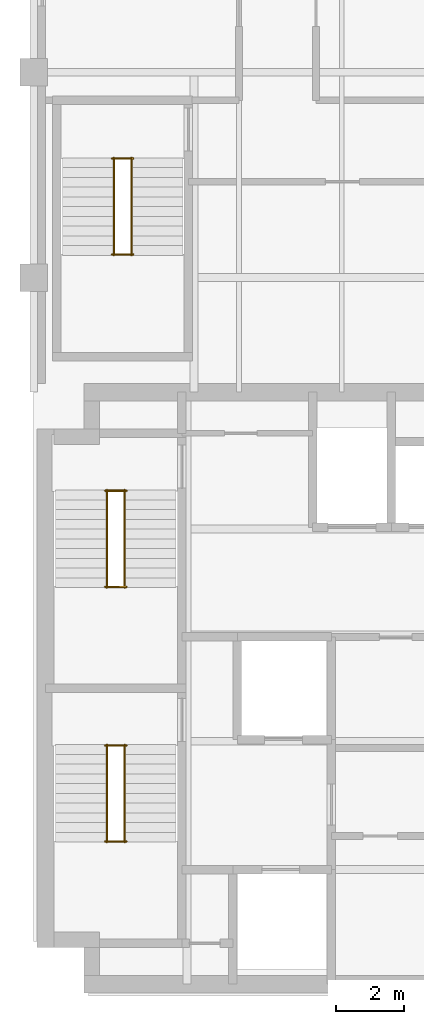
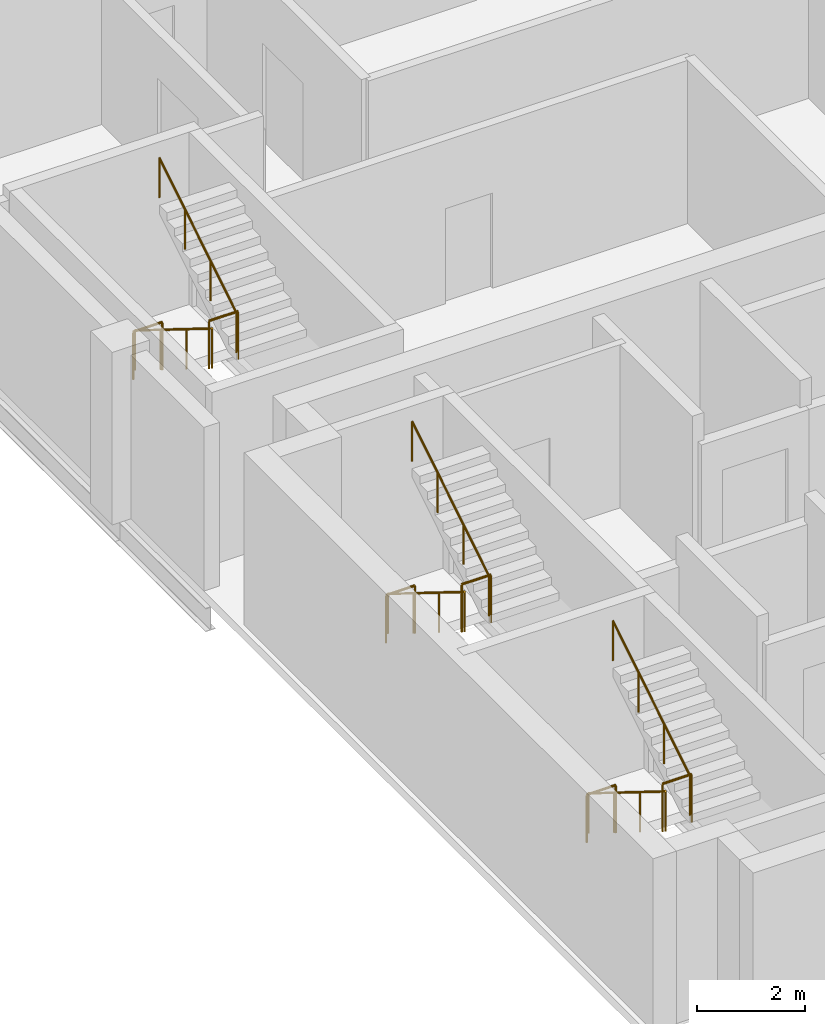
# One storey, part 6 of 6: 12 railings.
"""IFC4 building model written with IfcOpenShell, lengths in metres."""

from ifc_helpers import new_model, si_unit, direction, frame, origin, origin_2d, place, context, subcontext, project, spatial, circle, extrude, material, type_object, element, save


model = new_model("IFC4")

# Units and contexts
model_context = context("Model", 3, precision=1e-05, world=origin(), true_north=direction((0.0, 1.0)))
body_context = subcontext(model_context, "Body", "Model", "MODEL_VIEW")
ifc_project = project(units=[si_unit("LENGTHUNIT", "METRE"), si_unit("AREAUNIT", "SQUARE_METRE"), si_unit("VOLUMEUNIT", "CUBIC_METRE"), si_unit("PLANEANGLEUNIT", "RADIAN"), si_unit("MASSUNIT", "GRAM", prefix="KILO")], contexts=[model_context])

# Site, building, storey
site_placement = place(None, origin())
site = spatial("IfcSite", under=ifc_project, at=site_placement, CompositionType="ELEMENT")
building_placement = place(site_placement, origin())
building = spatial("IfcBuilding", under=site, at=building_placement, Name="Mawjdan Bourse Tower", CompositionType="ELEMENT")
storey_placement = place(building_placement, frame((0.0, 0.0, 246.89990234375)))
storey = spatial("IfcBuildingStorey", under=building, at=storey_placement, Name="L60", CompositionType="ELEMENT", Elevation=246.89990234375)

# Railings
ifc_material_1 = material(Name="Structural Steel S355", Category="steel")
railing_type_1 = type_object("IfcRailingType", Name="RLG-GRD-1100", PredefinedType="GUARDRAIL", material=ifc_material_1)
for number, where, name in (
    (1, (8.090087890625, 7.52001953125, 1.9501953125), "L60 ST1 Landing Guardrail GL-MID"),
    (2, (8.090087890625, 10.330078125, 0.0), "L60 ST1 Landing Guardrail GL-BOT"),
    (3, (8.090087890625, 14.9599609375, 1.9501953125), "L60 ST2 Landing Guardrail GL-MID"),
    (4, (8.090087890625, 17.77001953125, 0.0), "L60 ST2 Landing Guardrail GL-BOT"),
    (5, (8.2900390625, 24.669921875, 1.9501953125), "L60 ST3 Landing Guardrail GL-MID"),
    (6, (8.2900390625, 27.47998046875, 0.0), "L60 ST3 Landing Guardrail GL-BOT"),
):
    element("IfcRailing", number, at=place(storey_placement, frame(where)), inside=storey, type_object=railing_type_1, Name=name, PredefinedType="GUARDRAIL", context=body_context, shape_type="SweptSolid", body=[
        extrude(circle(Radius=0.02490234375, at=origin_2d()), frame((0.0, 0.0, 1.0751953125), z_axis=(1.0, 0.0, 0.0), x_axis=(0.0, 1.0, 0.0)), (0.0, 0.0, 1.0), 0.619873046875),
        extrude(circle(Radius=0.02099609375, at=origin_2d()), origin(), (0.0, 0.0, 1.0), 1.050048828125),
        extrude(circle(Radius=0.02099609375, at=origin_2d()), frame((0.619873046875, 0.0, 0.0)), (0.0, 0.0, 1.0), 1.050048828125),
    ])
ifc_material_2 = material(Name="Brushed Stainless Steel", Category="steel")
railing_type_2 = type_object("IfcRailingType", Name="RLG-HND-920", PredefinedType="HANDRAIL", material=ifc_material_2)
railing_1_placement = place(storey_placement, frame((8.139892578125, 10.35009765625, 0.177490234375)))
element("IfcRailing", 7, at=railing_1_placement, inside=storey, type_object=railing_type_2, Name="L60 ST1 Flight Handrail HR1", PredefinedType="HANDRAIL", context=body_context, shape_type="SweptSolid", body=[
    extrude(circle(Radius=0.0224609375, at=origin_2d()), frame((0.0, 0.0, 0.8974609375), z_axis=(0.0, -0.849148672731, 0.528153890072), x_axis=(1.0, 0.0, 0.0)), (0.0, 0.0, 1.0), 3.3564453125),
    extrude(circle(Radius=0.01904296875, at=origin_2d()), origin(), (0.0, 0.0, 1.0), 0.875),
    extrude(circle(Radius=0.01904296875, at=origin_2d()), frame((0.0, -0.949951171875, 0.5908203125)), (0.0, 0.0, 1.0), 0.875),
    extrude(circle(Radius=0.01904296875, at=origin_2d()), frame((0.0, -1.900146484375, 1.181884765625)), (0.0, 0.0, 1.0), 0.875),
    extrude(circle(Radius=0.01904296875, at=origin_2d()), frame((0.0, -2.85009765625, 1.772705078125)), (0.0, 0.0, 1.0), 0.875),
])
railing_2_placement = place(storey_placement, frame((8.659912109375, 7.5, 2.12744140625)))
element("IfcRailing", 8, at=railing_2_placement, inside=storey, type_object=railing_type_2, Name="L60 ST1 Flight Handrail HR2", PredefinedType="HANDRAIL", context=body_context, shape_type="SweptSolid", body=[
    extrude(circle(Radius=0.0224609375, at=origin_2d()), frame((0.0, 0.0, 0.8974609375), z_axis=(0.0, 0.849148672731, 0.528153890072), x_axis=(-1.0, 0.0, 0.0)), (0.0, 0.0, 1.0), 3.3564453125),
    extrude(circle(Radius=0.01904296875, at=origin_2d()), origin(), (0.0, 0.0, 1.0), 0.875),
    extrude(circle(Radius=0.01904296875, at=origin_2d()), frame((0.0, 0.949951171875, 0.5908203125)), (0.0, 0.0, 1.0), 0.875),
    extrude(circle(Radius=0.01904296875, at=origin_2d()), frame((0.0, 1.900146484375, 1.181884765625)), (0.0, 0.0, 1.0), 0.875),
    extrude(circle(Radius=0.01904296875, at=origin_2d()), frame((0.0, 2.85009765625, 1.772705078125)), (0.0, 0.0, 1.0), 0.875),
])
railing_3_placement = place(storey_placement, frame((8.139892578125, 17.7900390625, 0.177490234375)))
element("IfcRailing", 9, at=railing_3_placement, inside=storey, type_object=railing_type_2, Name="L60 ST2 Flight Handrail HR1", PredefinedType="HANDRAIL", context=body_context, shape_type="SweptSolid", body=[
    extrude(circle(Radius=0.0224609375, at=origin_2d()), frame((0.0, 0.0, 0.8974609375), z_axis=(0.0, -0.849148672731, 0.528153890072), x_axis=(1.0, 0.0, 0.0)), (0.0, 0.0, 1.0), 3.3564453125),
    extrude(circle(Radius=0.01904296875, at=origin_2d()), origin(), (0.0, 0.0, 1.0), 0.875),
    extrude(circle(Radius=0.01904296875, at=origin_2d()), frame((0.0, -0.949951171875, 0.5908203125)), (0.0, 0.0, 1.0), 0.875),
    extrude(circle(Radius=0.01904296875, at=origin_2d()), frame((0.0, -1.900146484375, 1.181884765625)), (0.0, 0.0, 1.0), 0.875),
    extrude(circle(Radius=0.01904296875, at=origin_2d()), frame((0.0, -2.85009765625, 1.772705078125)), (0.0, 0.0, 1.0), 0.875),
])
railing_4_placement = place(storey_placement, frame((8.659912109375, 14.93994140625, 2.12744140625)))
element("IfcRailing", 10, at=railing_4_placement, inside=storey, type_object=railing_type_2, Name="L60 ST2 Flight Handrail HR2", PredefinedType="HANDRAIL", context=body_context, shape_type="SweptSolid", body=[
    extrude(circle(Radius=0.0224609375, at=origin_2d()), frame((0.0, 0.0, 0.8974609375), z_axis=(0.0, 0.849148672731, 0.528153890072), x_axis=(-1.0, 0.0, 0.0)), (0.0, 0.0, 1.0), 3.3564453125),
    extrude(circle(Radius=0.01904296875, at=origin_2d()), origin(), (0.0, 0.0, 1.0), 0.875),
    extrude(circle(Radius=0.01904296875, at=origin_2d()), frame((0.0, 0.949951171875, 0.5908203125)), (0.0, 0.0, 1.0), 0.875),
    extrude(circle(Radius=0.01904296875, at=origin_2d()), frame((0.0, 1.900146484375, 1.181884765625)), (0.0, 0.0, 1.0), 0.875),
    extrude(circle(Radius=0.01904296875, at=origin_2d()), frame((0.0, 2.85009765625, 1.772705078125)), (0.0, 0.0, 1.0), 0.875),
])
railing_5_placement = place(storey_placement, frame((8.340087890625, 27.5, 0.177490234375)))
element("IfcRailing", 11, at=railing_5_placement, inside=storey, type_object=railing_type_2, Name="L60 ST3 Flight Handrail HR1", PredefinedType="HANDRAIL", context=body_context, shape_type="SweptSolid", body=[
    extrude(circle(Radius=0.0224609375, at=origin_2d()), frame((0.0, 0.0, 0.8974609375), z_axis=(0.0, -0.849148672731, 0.528153890072), x_axis=(1.0, 0.0, 0.0)), (0.0, 0.0, 1.0), 3.3564453125),
    extrude(circle(Radius=0.01904296875, at=origin_2d()), origin(), (0.0, 0.0, 1.0), 0.875),
    extrude(circle(Radius=0.01904296875, at=origin_2d()), frame((0.0, -0.949951171875, 0.5908203125)), (0.0, 0.0, 1.0), 0.875),
    extrude(circle(Radius=0.01904296875, at=origin_2d()), frame((0.0, -1.900146484375, 1.181884765625)), (0.0, 0.0, 1.0), 0.875),
    extrude(circle(Radius=0.01904296875, at=origin_2d()), frame((0.0, -2.85009765625, 1.772705078125)), (0.0, 0.0, 1.0), 0.875),
])
railing_6_placement = place(storey_placement, frame((8.860107421875, 24.64990234375, 2.12744140625)))
element("IfcRailing", 12, at=railing_6_placement, inside=storey, type_object=railing_type_2, Name="L60 ST3 Flight Handrail HR2", PredefinedType="HANDRAIL", context=body_context, shape_type="SweptSolid", body=[
    extrude(circle(Radius=0.0224609375, at=origin_2d()), frame((0.0, 0.0, 0.8974609375), z_axis=(0.0, 0.849148672731, 0.528153890072), x_axis=(-1.0, 0.0, 0.0)), (0.0, 0.0, 1.0), 3.3564453125),
    extrude(circle(Radius=0.01904296875, at=origin_2d()), origin(), (0.0, 0.0, 1.0), 0.875),
    extrude(circle(Radius=0.01904296875, at=origin_2d()), frame((0.0, 0.949951171875, 0.5908203125)), (0.0, 0.0, 1.0), 0.875),
    extrude(circle(Radius=0.01904296875, at=origin_2d()), frame((0.0, 1.900146484375, 1.181884765625)), (0.0, 0.0, 1.0), 0.875),
    extrude(circle(Radius=0.01904296875, at=origin_2d()), frame((0.0, 2.85009765625, 1.772705078125)), (0.0, 0.0, 1.0), 0.875),
])

save(model, "model.ifc")
